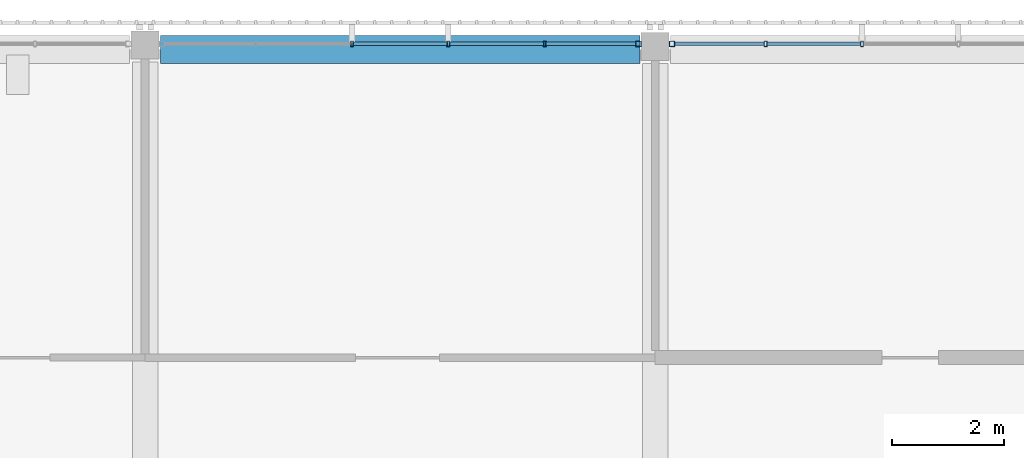
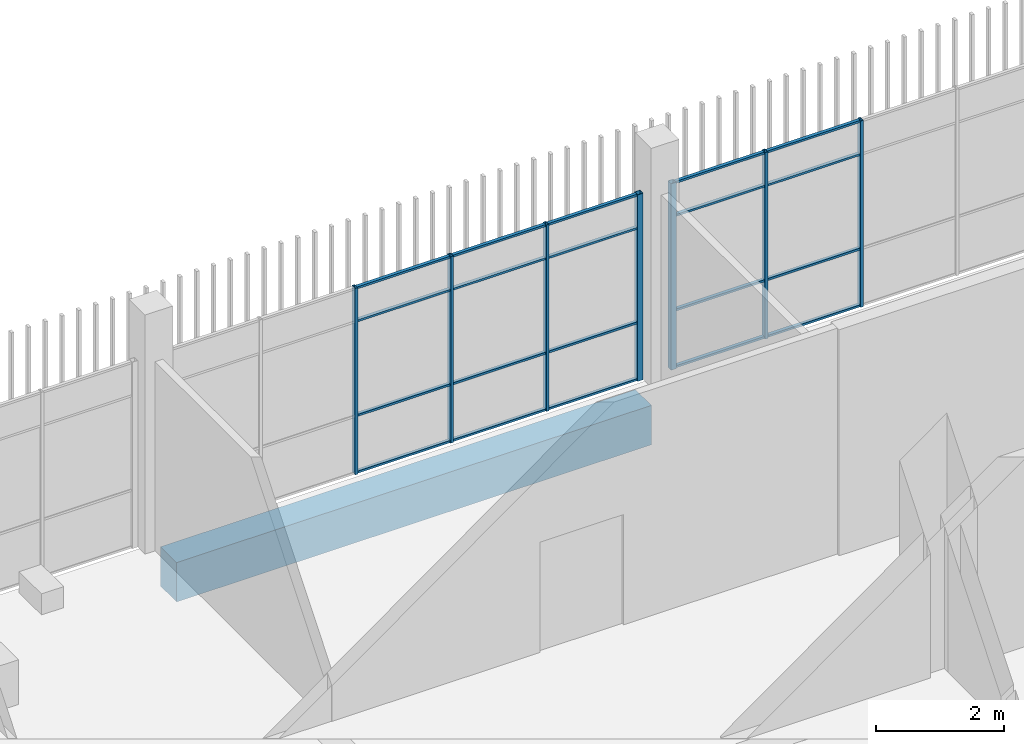
# One storey, part 41 of 139: 27 members, 1 beam, 2 elements without a shape of their own.
"""IFC4 building model written with IfcOpenShell, lengths in metres."""

from ifc_helpers import new_model, si_unit, direction, frame, origin, origin_2d, place, context, subcontext, project, spatial, rectangle, hollow_rectangle, extrude, material, layer, layer_set, material_profile, profile_set, type_object, element, aggregate, save


model = new_model("IFC4")

# Units and contexts
model_context = context("Model", 3, precision=1e-05, world=origin(), true_north=direction((0.0, 1.0)))
body_context = subcontext(model_context, "Body", "Model", "MODEL_VIEW")
ifc_project = project(units=[si_unit("LENGTHUNIT", "METRE"), si_unit("AREAUNIT", "SQUARE_METRE"), si_unit("VOLUMEUNIT", "CUBIC_METRE"), si_unit("PLANEANGLEUNIT", "RADIAN"), si_unit("MASSUNIT", "GRAM", prefix="KILO")], contexts=[model_context])

# Site, building, storey
site_placement = place(None, origin())
site = spatial("IfcSite", under=ifc_project, at=site_placement, CompositionType="ELEMENT")
building_placement = place(site_placement, origin())
building = spatial("IfcBuilding", under=site, at=building_placement, Name="Shirokan Park Arena", CompositionType="ELEMENT")
storey_placement = place(building_placement, frame((0.0, 0.0, 15.469970703125)))
storey = spatial("IfcBuildingStorey", under=building, at=storey_placement, Name="L03", CompositionType="ELEMENT", Elevation=15.469970703125)

# Curtain wall, member
ifc_material_1 = material(Name="Steel and glass curtain wall", Category="steel")
ifc_layer = layer(ifc_material_1, 0.10009765625)
ifc_layer_set = layer_set([ifc_layer], Name="Steel and glass curtain wall 100 mm")
curtain_wall_type = type_object("IfcCurtainWallType", Name="Curtain wall sheltered bay 100", PredefinedType="NOTDEFINED", material=ifc_layer_set)
curtain_wall_1_placement = place(storey_placement, origin())
curtain_wall_1 = element("IfcCurtainWall", 1, at=curtain_wall_1_placement, inside=storey, type_object=curtain_wall_type, Name="Curtain wall north bay 10 L03", PredefinedType="NOTDEFINED")
ifc_material_2 = material(Name="Steel S355", Category="steel")
ifc_material_profile_1 = material_profile(ifc_material_2, hollow_rectangle(XDim=0.10009765625, YDim=0.10009765625, WallThickness=0.006103515625, at=origin_2d()), Name="RHS 100x100x6")
ifc_profile_set_1 = profile_set([ifc_material_profile_1], Name="Steel S355")
member_type_1 = type_object("IfcMemberType", Name="Mullion RHS 100x100x6", PredefinedType="MULLION", material=ifc_profile_set_1)
member_1_placement = place(storey_placement, frame((54.89990234375, 109.300048828125, 0.0), z_axis=(0.0, 0.0, 1.0), x_axis=(0.0, -1.0, 0.0)))
member_1 = element("IfcMember", 2, at=member_1_placement, type_object=member_type_1, Name="CW2 mullion 6", PredefinedType="MULLION", context=body_context, shape_type="SweptSolid", body=[
    extrude(hollow_rectangle(XDim=0.10009765625, YDim=0.10009765625, WallThickness=0.006103515625, at=origin_2d()), origin(), (0.0, 0.0, 1.0), 3.550048828125),
])

curtain_wall_2_placement = place(storey_placement, origin())
curtain_wall_2 = element("IfcCurtainWall", 3, at=curtain_wall_2_placement, inside=storey, type_object=curtain_wall_type, Name="Curtain wall north bay 11 L03", PredefinedType="NOTDEFINED")
member_2_placement = place(storey_placement, frame((54.300048828125, 109.300048828125, 0.0), z_axis=(0.0, 0.0, 1.0), x_axis=(0.0, -1.0, 0.0)))
member_2 = element("IfcMember", 4, at=member_2_placement, type_object=member_type_1, Name="CW2 mullion 1", PredefinedType="MULLION", context=body_context, shape_type="SweptSolid", body=[
    extrude(hollow_rectangle(XDim=0.10009765625, YDim=0.10009765625, WallThickness=0.006103515625, at=origin_2d()), origin(), (0.0, 0.0, 1.0), 3.550048828125),
])

# Member
ifc_material_profile_2 = material_profile(ifc_material_2, hollow_rectangle(XDim=0.10009765625, YDim=0.050048828125, WallThickness=0.0048828125, at=origin_2d()), Name="RHS 100x50x5")
ifc_profile_set_2 = profile_set([ifc_material_profile_2], Name="Steel S355")
member_type_2 = type_object("IfcMemberType", Name="Mullion RHS 100x50x5", PredefinedType="MULLION", material=ifc_profile_set_2)
member_3_placement = place(storey_placement, frame((58.2900390625, 109.300048828125, 0.0), z_axis=(0.0, 0.0, 1.0), x_axis=(0.0, -1.0, 0.0)))
member_3 = element("IfcMember", 5, at=member_3_placement, type_object=member_type_2, Name="CW2 mullion 4", PredefinedType="MULLION", context=body_context, shape_type="SweptSolid", body=[
    extrude(hollow_rectangle(XDim=0.10009765625, YDim=0.050048828125, WallThickness=0.0048828125, at=origin_2d()), origin(), (0.0, 0.0, 1.0), 3.550048828125),
])

member_4_placement = place(storey_placement, frame((56.570068359375, 109.300048828125, 0.0), z_axis=(0.0, 0.0, 1.0), x_axis=(0.0, -1.0, 0.0)))
member_4 = element("IfcMember", 6, at=member_4_placement, type_object=member_type_2, Name="CW2 mullion 5", PredefinedType="MULLION", context=body_context, shape_type="SweptSolid", body=[
    extrude(hollow_rectangle(XDim=0.10009765625, YDim=0.050048828125, WallThickness=0.0048828125, at=origin_2d()), origin(), (0.0, 0.0, 1.0), 3.550048828125),
])

member_5_placement = place(storey_placement, frame((52.6298828125, 109.300048828125, 0.0), z_axis=(0.0, 0.0, 1.0), x_axis=(0.0, -1.0, 0.0)))
member_5 = element("IfcMember", 7, at=member_5_placement, type_object=member_type_2, Name="CW2 mullion 2", PredefinedType="MULLION", context=body_context, shape_type="SweptSolid", body=[
    extrude(hollow_rectangle(XDim=0.10009765625, YDim=0.050048828125, WallThickness=0.0048828125, at=origin_2d()), origin(), (0.0, 0.0, 1.0), 3.550048828125),
])

member_6_placement = place(storey_placement, frame((50.909912109375, 109.300048828125, 0.0), z_axis=(0.0, 0.0, 1.0), x_axis=(0.0, -1.0, 0.0)))
member_6 = element("IfcMember", 8, at=member_6_placement, type_object=member_type_2, Name="CW2 mullion 3", PredefinedType="MULLION", context=body_context, shape_type="SweptSolid", body=[
    extrude(hollow_rectangle(XDim=0.10009765625, YDim=0.050048828125, WallThickness=0.0048828125, at=origin_2d()), origin(), (0.0, 0.0, 1.0), 3.550048828125),
])

member_7_placement = place(storey_placement, frame((49.18994140625, 109.300048828125, 0.0), z_axis=(0.0, 0.0, 1.0), x_axis=(0.0, -1.0, 0.0)))
member_7 = element("IfcMember", 9, at=member_7_placement, type_object=member_type_2, Name="CW2 mullion 4", PredefinedType="MULLION", context=body_context, shape_type="SweptSolid", body=[
    extrude(hollow_rectangle(XDim=0.10009765625, YDim=0.050048828125, WallThickness=0.0048828125, at=origin_2d()), origin(), (0.0, 0.0, 1.0), 3.550048828125),
])

# Beam
ifc_material_3 = material(Name="Concrete C35", Category="concrete")
ifc_material_profile_3 = material_profile(ifc_material_3, rectangle(XDim=0.5, YDim=0.75, at=origin_2d()), Name="500x750")
ifc_profile_set_3 = profile_set([ifc_material_profile_3], Name="Concrete C35")
beam_type = type_object("IfcBeamType", Name="RC girder 500x750", PredefinedType="BEAM", material=ifc_profile_set_3)
beam_placement = place(storey_placement, frame((45.775146484375, 109.199951171875, -0.675048828125), z_axis=(1.0, 0.0, 0.0), x_axis=(0.0, 1.0, 0.0)))
element("IfcBeam", 10, at=beam_placement, inside=storey, type_object=beam_type, Name="Girder 6N-7N L03", PredefinedType="BEAM", context=body_context, shape_type="SweptSolid", body=[
    extrude(rectangle(XDim=0.5, YDim=0.75, at=origin_2d()), origin(), (0.0, 0.0, 1.0), 8.5498046875),
])

# Member
ifc_material_profile_4 = material_profile(ifc_material_2, hollow_rectangle(XDim=0.06005859375, YDim=0.0400390625, WallThickness=0.00390625, at=origin_2d()), Name="RHS 60x40x4")
ifc_profile_set_4 = profile_set([ifc_material_profile_4], Name="Steel S355")
member_type_3 = type_object("IfcMemberType", Name="Transom RHS 60x40x4", PredefinedType="MULLION", material=ifc_profile_set_4)
member_8_placement = place(storey_placement, frame((58.264892578125, 109.300048828125, 0.02001953125), z_axis=(-1.0, 0.0, 0.0), x_axis=(0.0, -1.0, 0.0)))
member_8 = element("IfcMember", 11, at=member_8_placement, type_object=member_type_3, Name="CW2 transom 4.1", PredefinedType="MULLION", context=body_context, shape_type="SweptSolid", body=[
    extrude(hollow_rectangle(XDim=0.06005859375, YDim=0.0400390625, WallThickness=0.00390625, at=origin_2d()), origin(), (0.0, 0.0, 1.0), 1.669921875),
])

member_9_placement = place(storey_placement, frame((58.264892578125, 109.300048828125, 1.10009765625), z_axis=(-1.0, 0.0, 0.0), x_axis=(0.0, -1.0, 0.0)))
member_9 = element("IfcMember", 12, at=member_9_placement, type_object=member_type_3, Name="CW2 transom 4.2", PredefinedType="MULLION", context=body_context, shape_type="SweptSolid", body=[
    extrude(hollow_rectangle(XDim=0.06005859375, YDim=0.0400390625, WallThickness=0.00390625, at=origin_2d()), origin(), (0.0, 0.0, 1.0), 1.669921875),
])

member_10_placement = place(storey_placement, frame((58.264892578125, 109.300048828125, 2.900146484375), z_axis=(-1.0, 0.0, 0.0), x_axis=(0.0, -1.0, 0.0)))
member_10 = element("IfcMember", 13, at=member_10_placement, type_object=member_type_3, Name="CW2 transom 4.3", PredefinedType="MULLION", context=body_context, shape_type="SweptSolid", body=[
    extrude(hollow_rectangle(XDim=0.06005859375, YDim=0.0400390625, WallThickness=0.00390625, at=origin_2d()), origin(), (0.0, 0.0, 1.0), 1.669921875),
])

member_11_placement = place(storey_placement, frame((58.264892578125, 109.300048828125, 3.530029296875), z_axis=(-1.0, 0.0, 0.0), x_axis=(0.0, -1.0, 0.0)))
member_11 = element("IfcMember", 14, at=member_11_placement, type_object=member_type_3, Name="CW2 transom 4.4", PredefinedType="MULLION", context=body_context, shape_type="SweptSolid", body=[
    extrude(hollow_rectangle(XDim=0.06005859375, YDim=0.0400390625, WallThickness=0.00390625, at=origin_2d()), origin(), (0.0, 0.0, 1.0), 1.669921875),
])

member_12_placement = place(storey_placement, frame((56.544921875, 109.300048828125, 0.02001953125), z_axis=(-1.0, 0.0, 0.0), x_axis=(0.0, -1.0, 0.0)))
member_12 = element("IfcMember", 15, at=member_12_placement, type_object=member_type_3, Name="CW2 transom 5.1", PredefinedType="MULLION", context=body_context, shape_type="SweptSolid", body=[
    extrude(hollow_rectangle(XDim=0.06005859375, YDim=0.0400390625, WallThickness=0.00390625, at=origin_2d()), origin(), (0.0, 0.0, 1.0), 1.594970703125),
])

member_13_placement = place(storey_placement, frame((56.544921875, 109.300048828125, 1.10009765625), z_axis=(-1.0, 0.0, 0.0), x_axis=(0.0, -1.0, 0.0)))
member_13 = element("IfcMember", 16, at=member_13_placement, type_object=member_type_3, Name="CW2 transom 5.2", PredefinedType="MULLION", context=body_context, shape_type="SweptSolid", body=[
    extrude(hollow_rectangle(XDim=0.06005859375, YDim=0.0400390625, WallThickness=0.00390625, at=origin_2d()), origin(), (0.0, 0.0, 1.0), 1.594970703125),
])

member_14_placement = place(storey_placement, frame((56.544921875, 109.300048828125, 2.900146484375), z_axis=(-1.0, 0.0, 0.0), x_axis=(0.0, -1.0, 0.0)))
member_14 = element("IfcMember", 17, at=member_14_placement, type_object=member_type_3, Name="CW2 transom 5.3", PredefinedType="MULLION", context=body_context, shape_type="SweptSolid", body=[
    extrude(hollow_rectangle(XDim=0.06005859375, YDim=0.0400390625, WallThickness=0.00390625, at=origin_2d()), origin(), (0.0, 0.0, 1.0), 1.594970703125),
])

member_15_placement = place(storey_placement, frame((56.544921875, 109.300048828125, 3.530029296875), z_axis=(-1.0, 0.0, 0.0), x_axis=(0.0, -1.0, 0.0)))
member_15 = element("IfcMember", 18, at=member_15_placement, type_object=member_type_3, Name="CW2 transom 5.4", PredefinedType="MULLION", context=body_context, shape_type="SweptSolid", body=[
    extrude(hollow_rectangle(XDim=0.06005859375, YDim=0.0400390625, WallThickness=0.00390625, at=origin_2d()), origin(), (0.0, 0.0, 1.0), 1.594970703125),
])

aggregate(curtain_wall_1, [member_3, member_4, member_1, member_8, member_9, member_10, member_11, member_12, member_13, member_14, member_15])

member_16_placement = place(storey_placement, frame((54.25, 109.300048828125, 0.02001953125), z_axis=(-1.0, 0.0, 0.0), x_axis=(0.0, -1.0, 0.0)))
member_16 = element("IfcMember", 19, at=member_16_placement, type_object=member_type_3, Name="CW2 transom 1.1", PredefinedType="MULLION", context=body_context, shape_type="SweptSolid", body=[
    extrude(hollow_rectangle(XDim=0.06005859375, YDim=0.0400390625, WallThickness=0.00390625, at=origin_2d()), origin(), (0.0, 0.0, 1.0), 1.594970703125),
])

member_17_placement = place(storey_placement, frame((54.25, 109.300048828125, 1.10009765625), z_axis=(-1.0, 0.0, 0.0), x_axis=(0.0, -1.0, 0.0)))
member_17 = element("IfcMember", 20, at=member_17_placement, type_object=member_type_3, Name="CW2 transom 1.2", PredefinedType="MULLION", context=body_context, shape_type="SweptSolid", body=[
    extrude(hollow_rectangle(XDim=0.06005859375, YDim=0.0400390625, WallThickness=0.00390625, at=origin_2d()), origin(), (0.0, 0.0, 1.0), 1.594970703125),
])

member_18_placement = place(storey_placement, frame((54.25, 109.300048828125, 2.900146484375), z_axis=(-1.0, 0.0, 0.0), x_axis=(0.0, -1.0, 0.0)))
member_18 = element("IfcMember", 21, at=member_18_placement, type_object=member_type_3, Name="CW2 transom 1.3", PredefinedType="MULLION", context=body_context, shape_type="SweptSolid", body=[
    extrude(hollow_rectangle(XDim=0.06005859375, YDim=0.0400390625, WallThickness=0.00390625, at=origin_2d()), origin(), (0.0, 0.0, 1.0), 1.594970703125),
])

member_19_placement = place(storey_placement, frame((54.25, 109.300048828125, 3.530029296875), z_axis=(-1.0, 0.0, 0.0), x_axis=(0.0, -1.0, 0.0)))
member_19 = element("IfcMember", 22, at=member_19_placement, type_object=member_type_3, Name="CW2 transom 1.4", PredefinedType="MULLION", context=body_context, shape_type="SweptSolid", body=[
    extrude(hollow_rectangle(XDim=0.06005859375, YDim=0.0400390625, WallThickness=0.00390625, at=origin_2d()), origin(), (0.0, 0.0, 1.0), 1.594970703125),
])

member_20_placement = place(storey_placement, frame((52.60498046875, 109.300048828125, 0.02001953125), z_axis=(-1.0, 0.0, 0.0), x_axis=(0.0, -1.0, 0.0)))
member_20 = element("IfcMember", 23, at=member_20_placement, type_object=member_type_3, Name="CW2 transom 2.1", PredefinedType="MULLION", context=body_context, shape_type="SweptSolid", body=[
    extrude(hollow_rectangle(XDim=0.06005859375, YDim=0.0400390625, WallThickness=0.00390625, at=origin_2d()), origin(), (0.0, 0.0, 1.0), 1.669921875),
])

member_21_placement = place(storey_placement, frame((52.60498046875, 109.300048828125, 1.10009765625), z_axis=(-1.0, 0.0, 0.0), x_axis=(0.0, -1.0, 0.0)))
member_21 = element("IfcMember", 24, at=member_21_placement, type_object=member_type_3, Name="CW2 transom 2.2", PredefinedType="MULLION", context=body_context, shape_type="SweptSolid", body=[
    extrude(hollow_rectangle(XDim=0.06005859375, YDim=0.0400390625, WallThickness=0.00390625, at=origin_2d()), origin(), (0.0, 0.0, 1.0), 1.669921875),
])

member_22_placement = place(storey_placement, frame((52.60498046875, 109.300048828125, 2.900146484375), z_axis=(-1.0, 0.0, 0.0), x_axis=(0.0, -1.0, 0.0)))
member_22 = element("IfcMember", 25, at=member_22_placement, type_object=member_type_3, Name="CW2 transom 2.3", PredefinedType="MULLION", context=body_context, shape_type="SweptSolid", body=[
    extrude(hollow_rectangle(XDim=0.06005859375, YDim=0.0400390625, WallThickness=0.00390625, at=origin_2d()), origin(), (0.0, 0.0, 1.0), 1.669921875),
])

member_23_placement = place(storey_placement, frame((52.60498046875, 109.300048828125, 3.530029296875), z_axis=(-1.0, 0.0, 0.0), x_axis=(0.0, -1.0, 0.0)))
member_23 = element("IfcMember", 26, at=member_23_placement, type_object=member_type_3, Name="CW2 transom 2.4", PredefinedType="MULLION", context=body_context, shape_type="SweptSolid", body=[
    extrude(hollow_rectangle(XDim=0.06005859375, YDim=0.0400390625, WallThickness=0.00390625, at=origin_2d()), origin(), (0.0, 0.0, 1.0), 1.669921875),
])

member_24_placement = place(storey_placement, frame((50.885009765625, 109.300048828125, 0.02001953125), z_axis=(-1.0, 0.0, 0.0), x_axis=(0.0, -1.0, 0.0)))
member_24 = element("IfcMember", 27, at=member_24_placement, type_object=member_type_3, Name="CW2 transom 3.1", PredefinedType="MULLION", context=body_context, shape_type="SweptSolid", body=[
    extrude(hollow_rectangle(XDim=0.06005859375, YDim=0.0400390625, WallThickness=0.00390625, at=origin_2d()), origin(), (0.0, 0.0, 1.0), 1.669921875),
])

member_25_placement = place(storey_placement, frame((50.885009765625, 109.300048828125, 1.10009765625), z_axis=(-1.0, 0.0, 0.0), x_axis=(0.0, -1.0, 0.0)))
member_25 = element("IfcMember", 28, at=member_25_placement, type_object=member_type_3, Name="CW2 transom 3.2", PredefinedType="MULLION", context=body_context, shape_type="SweptSolid", body=[
    extrude(hollow_rectangle(XDim=0.06005859375, YDim=0.0400390625, WallThickness=0.00390625, at=origin_2d()), origin(), (0.0, 0.0, 1.0), 1.669921875),
])

member_26_placement = place(storey_placement, frame((50.885009765625, 109.300048828125, 2.900146484375), z_axis=(-1.0, 0.0, 0.0), x_axis=(0.0, -1.0, 0.0)))
member_26 = element("IfcMember", 29, at=member_26_placement, type_object=member_type_3, Name="CW2 transom 3.3", PredefinedType="MULLION", context=body_context, shape_type="SweptSolid", body=[
    extrude(hollow_rectangle(XDim=0.06005859375, YDim=0.0400390625, WallThickness=0.00390625, at=origin_2d()), origin(), (0.0, 0.0, 1.0), 1.669921875),
])

member_27_placement = place(storey_placement, frame((50.885009765625, 109.300048828125, 3.530029296875), z_axis=(-1.0, 0.0, 0.0), x_axis=(0.0, -1.0, 0.0)))
member_27 = element("IfcMember", 30, at=member_27_placement, type_object=member_type_3, Name="CW2 transom 3.4", PredefinedType="MULLION", context=body_context, shape_type="SweptSolid", body=[
    extrude(hollow_rectangle(XDim=0.06005859375, YDim=0.0400390625, WallThickness=0.00390625, at=origin_2d()), origin(), (0.0, 0.0, 1.0), 1.669921875),
])

aggregate(curtain_wall_2, [member_2, member_5, member_6, member_7, member_16, member_17, member_18, member_19, member_20, member_21, member_22, member_23, member_24, member_25, member_26, member_27])

save(model, "model.ifc")
